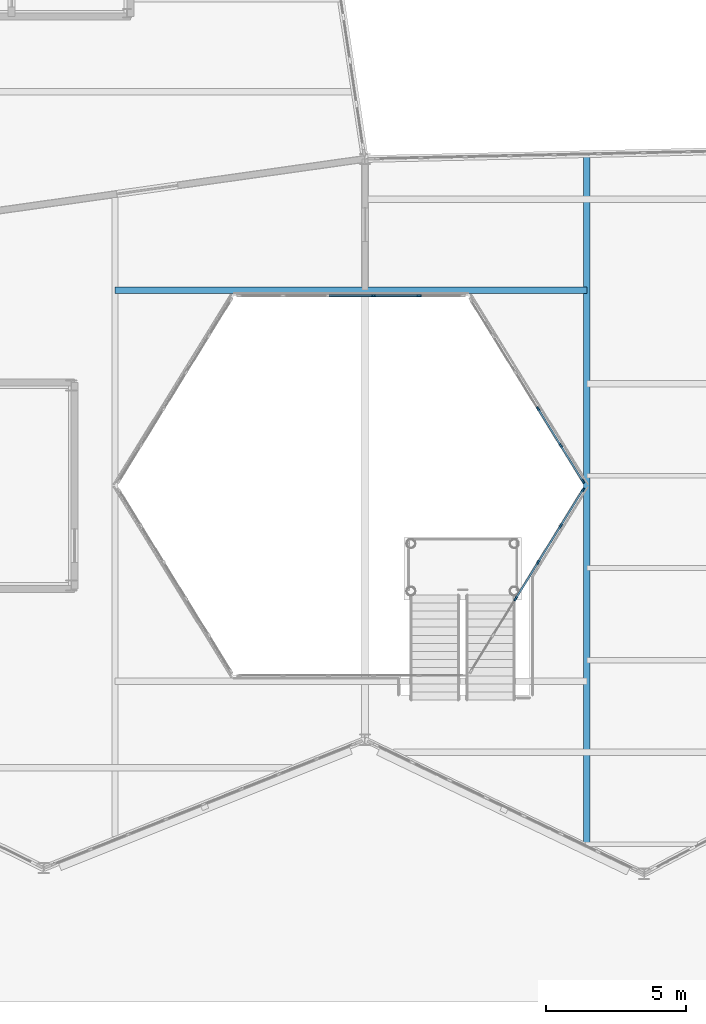
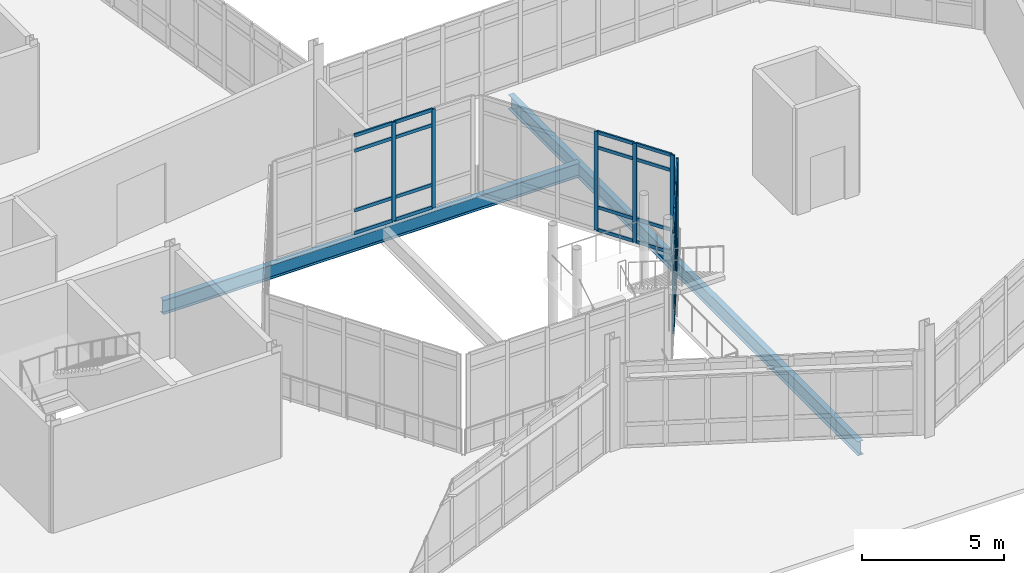
# One storey, part 44 of 134: 37 members, 2 beams, 3 elements without a shape of their own.
"""IFC4 building model written with IfcOpenShell, lengths in metres."""

from ifc_helpers import new_model, si_unit, direction, frame, origin, origin_2d, place, context, subcontext, project, spatial, rectangle, i_section, extrude, material, material_profile, profile_set, type_object, element, aggregate, save


model = new_model("IFC4")

# Units and contexts
model_context = context("Model", 3, precision=1e-05, world=origin(), true_north=direction((0.0, 1.0)))
body_context = subcontext(model_context, "Body", "Model", "MODEL_VIEW")
ifc_project = project(units=[si_unit("LENGTHUNIT", "METRE"), si_unit("AREAUNIT", "SQUARE_METRE"), si_unit("VOLUMEUNIT", "CUBIC_METRE"), si_unit("PLANEANGLEUNIT", "RADIAN"), si_unit("MASSUNIT", "GRAM", prefix="KILO")], contexts=[model_context])

# Site, building, storey
site_placement = place(None, origin())
site = spatial("IfcSite", under=ifc_project, at=site_placement, CompositionType="ELEMENT")
building_placement = place(site_placement, origin())
building = spatial("IfcBuilding", under=site, at=building_placement, Name="Tameran Prism Museum", CompositionType="ELEMENT")
storey_placement = place(building_placement, frame((0.0, 0.0, 5.39990234375)))
storey = spatial("IfcBuildingStorey", under=building, at=storey_placement, Name="L01", CompositionType="ELEMENT", Elevation=5.39990234375)

# Beams
ifc_material_1 = material(Name="Steel Grade 300PLUS (300 MPa)", Category="steel")
ifc_material_profile_1 = material_profile(ifc_material_1, i_section(OverallWidth=0.22900390625, OverallDepth=0.612060546875, WebThickness=0.011962890625, FlangeThickness=0.01953125, FilletRadius=0.013916015625, at=origin_2d()))
ifc_profile_set_1 = profile_set([ifc_material_profile_1])
beam_type = type_object("IfcBeamType", Name="BM-UB610A", PredefinedType="BEAM", material=ifc_profile_set_1)
beam_1_placement = place(storey_placement, frame((68.550048828125, 43.5, -0.5458984375), z_axis=(1.0, 0.0, 0.0), x_axis=(0.0, 1.0, 0.0)))
element("IfcBeam", 1, at=beam_1_placement, inside=storey, type_object=beam_type, Name="Atrium Transverse Trimmer ATE-0495", PredefinedType="BEAM", context=body_context, shape_type="SweptSolid", body=[
    extrude(i_section(OverallWidth=0.22900390625, OverallDepth=0.612060546875, WebThickness=0.011962890625, FlangeThickness=0.01953125, FilletRadius=0.013916015625, at=origin_2d()), origin(), (0.0, 0.0, 1.0), 16.89990234375),
])
beam_2_placement = place(storey_placement, frame((85.449951171875, 23.7060546875, -0.5458984375), z_axis=(0.0, 1.0, 0.0), x_axis=(-1.0, 0.0, 0.0)))
element("IfcBeam", 2, at=beam_2_placement, inside=storey, type_object=beam_type, Name="Atrium Opening Trimmer Girder AT-0497", PredefinedType="BEAM", context=body_context, shape_type="SweptSolid", body=[
    extrude(i_section(OverallWidth=0.22900390625, OverallDepth=0.612060546875, WebThickness=0.011962890625, FlangeThickness=0.01953125, FilletRadius=0.013916015625, at=origin_2d()), origin(), (0.0, 0.0, 1.0), 24.557861328125),
])

# Curtain wall, members
ifc_material_2 = material(Name="Anodised Aluminium 6063-T6 and Cyclone Solar Glass", Category="aluminium")
curtain_wall_type_1 = type_object("IfcCurtainWallType", Name="CW-ATR-769x424", PredefinedType="USERDEFINED", material=ifc_material_2)
curtain_wall_1_placement = place(storey_placement, origin())
curtain_wall_1 = element("IfcCurtainWall", 3, at=curtain_wall_1_placement, inside=storey, type_object=curtain_wall_type_1, Name="Unitised Curtain Wall CW-003", ObjectType="UNITISED CURTAIN WALL", PredefinedType="USERDEFINED")
ifc_material_3 = material(Name="Anodised Aluminium Alloy 6063-T6", Category="aluminium")
ifc_material_profile_2 = material_profile(ifc_material_3, rectangle(XDim=0.06494140625, YDim=0.159912109375, at=origin_2d()))
ifc_profile_set_2 = profile_set([ifc_material_profile_2])
member_type_1 = type_object("IfcMemberType", Name="CW-MUL-A", PredefinedType="MULLION", material=ifc_profile_set_2)
member_1_placement = place(storey_placement, frame((82.895751953125, 32.445556640625, 0.0), z_axis=(0.0, 0.0, 1.0), x_axis=(-0.850791158897, 0.525503952357, 0.0)))
member_1 = element("IfcMember", 4, at=member_1_placement, type_object=member_type_1, Name="CW-003 mullion 3", PredefinedType="MULLION", context=body_context, shape_type="SweptSolid", body=[
    extrude(rectangle(XDim=0.06494140625, YDim=0.159912109375, at=origin_2d()), origin(), (0.0, 0.0, 1.0), 4.239990234375),
])
member_2_placement = place(storey_placement, frame((83.7041015625, 33.75439453125, 0.0), z_axis=(0.0, 0.0, 1.0), x_axis=(-0.850791158897, 0.525503952357, 0.0)))
member_2 = element("IfcMember", 5, at=member_2_placement, type_object=member_type_1, Name="CW-003 mullion 4", PredefinedType="MULLION", context=body_context, shape_type="SweptSolid", body=[
    extrude(rectangle(XDim=0.06494140625, YDim=0.159912109375, at=origin_2d()), origin(), (0.0, 0.0, 1.0), 4.239990234375),
])
member_3_placement = place(storey_placement, frame((84.5126953125, 35.063232421875, 0.0), z_axis=(0.0, 0.0, 1.0), x_axis=(-0.850791158897, 0.525503952357, 0.0)))
member_3 = element("IfcMember", 6, at=member_3_placement, type_object=member_type_1, Name="CW-003 mullion 5", PredefinedType="MULLION", context=body_context, shape_type="SweptSolid", body=[
    extrude(rectangle(XDim=0.06494140625, YDim=0.159912109375, at=origin_2d()), origin(), (0.0, 0.0, 1.0), 4.239990234375),
])
member_4_placement = place(storey_placement, frame((85.303955078125, 36.34423828125, 0.0), z_axis=(0.0, 0.0, 1.0), x_axis=(-0.850791158897, 0.525503952357, 0.0)))
member_4 = element("IfcMember", 7, at=member_4_placement, type_object=member_type_1, Name="CW-003 mullion 6", PredefinedType="MULLION", context=body_context, shape_type="SweptSolid", body=[
    extrude(rectangle(XDim=0.06494140625, YDim=0.159912109375, at=origin_2d()), origin(), (0.0, 0.0, 1.0), 4.239990234375),
])

curtain_wall_2_placement = place(storey_placement, origin())
curtain_wall_2 = element("IfcCurtainWall", 8, at=curtain_wall_2_placement, inside=storey, type_object=curtain_wall_type_1, Name="Unitised Curtain Wall CW-004", ObjectType="UNITISED CURTAIN WALL", PredefinedType="USERDEFINED")
member_5_placement = place(storey_placement, frame((85.303955078125, 36.65576171875, 0.0), z_axis=(0.0, 0.0, 1.0), x_axis=(-0.850791158897, -0.525503952357, 0.0)))
member_5 = element("IfcMember", 9, at=member_5_placement, type_object=member_type_1, Name="CW-004 mullion 1", PredefinedType="MULLION", context=body_context, shape_type="SweptSolid", body=[
    extrude(rectangle(XDim=0.06494140625, YDim=0.159912109375, at=origin_2d()), origin(), (0.0, 0.0, 1.0), 4.239990234375),
])
member_6_placement = place(storey_placement, frame((84.5126953125, 37.936767578125, 0.0), z_axis=(0.0, 0.0, 1.0), x_axis=(-0.850791158897, -0.525503952357, 0.0)))
member_6 = element("IfcMember", 10, at=member_6_placement, type_object=member_type_1, Name="CW-004 mullion 2", PredefinedType="MULLION", context=body_context, shape_type="SweptSolid", body=[
    extrude(rectangle(XDim=0.06494140625, YDim=0.159912109375, at=origin_2d()), origin(), (0.0, 0.0, 1.0), 4.239990234375),
])
member_7_placement = place(storey_placement, frame((83.7041015625, 39.24560546875, 0.0), z_axis=(0.0, 0.0, 1.0), x_axis=(-0.850791158897, -0.525503952357, 0.0)))
member_7 = element("IfcMember", 11, at=member_7_placement, type_object=member_type_1, Name="CW-004 mullion 3", PredefinedType="MULLION", context=body_context, shape_type="SweptSolid", body=[
    extrude(rectangle(XDim=0.06494140625, YDim=0.159912109375, at=origin_2d()), origin(), (0.0, 0.0, 1.0), 4.239990234375),
])

ifc_material_4 = material(Name="Anodised Aluminium 6063-T6 and Cyclone Solar Glass", Category="aluminium")
curtain_wall_type_2 = type_object("IfcCurtainWallType", Name="CW-ATR-810x424", PredefinedType="USERDEFINED", material=ifc_material_4)
curtain_wall_3_placement = place(storey_placement, origin())
curtain_wall_3 = element("IfcCurtainWall", 12, at=curtain_wall_3_placement, inside=storey, type_object=curtain_wall_type_2, Name="Unitised Curtain Wall CW-005", ObjectType="UNITISED CURTAIN WALL", PredefinedType="USERDEFINED")
member_8_placement = place(storey_placement, frame((79.429931640625, 43.300048828125, 0.0), z_axis=(0.0, 0.0, 1.0), x_axis=(0.0, -1.0, 0.0)))
member_8 = element("IfcMember", 13, at=member_8_placement, type_object=member_type_1, Name="CW-005 mullion 2", PredefinedType="MULLION", context=body_context, shape_type="SweptSolid", body=[
    extrude(rectangle(XDim=0.06494140625, YDim=0.159912109375, at=origin_2d()), origin(), (0.0, 0.0, 1.0), 4.239990234375),
])
member_9_placement = place(storey_placement, frame((77.81005859375, 43.300048828125, 0.0), z_axis=(0.0, 0.0, 1.0), x_axis=(0.0, -1.0, 0.0)))
member_9 = element("IfcMember", 14, at=member_9_placement, type_object=member_type_1, Name="CW-005 mullion 3", PredefinedType="MULLION", context=body_context, shape_type="SweptSolid", body=[
    extrude(rectangle(XDim=0.06494140625, YDim=0.159912109375, at=origin_2d()), origin(), (0.0, 0.0, 1.0), 4.239990234375),
])

# Member
ifc_material_5 = material(Name="Anodised Aluminium Alloy 6063-T6", Category="aluminium")
ifc_material_profile_3 = material_profile(ifc_material_5, rectangle(XDim=0.06494140625, YDim=0.139892578125, at=origin_2d()))
ifc_profile_set_3 = profile_set([ifc_material_profile_3])
member_type_2 = type_object("IfcMemberType", Name="CW-TRN-A", PredefinedType="USERDEFINED", material=ifc_profile_set_3)
member_10_placement = place(storey_placement, frame((82.912841796875, 32.47314453125, 0.03271484375), z_axis=(0.525418798442, 0.850843749606, 0.0), x_axis=(-0.850843749606, 0.525418798442, 0.0)))
member_10 = element("IfcMember", 15, at=member_10_placement, type_object=member_type_2, Name="CW-003 transom 3.1", ObjectType="TRANSOM", PredefinedType="USERDEFINED", context=body_context, shape_type="SweptSolid", body=[
    extrude(rectangle(XDim=0.06494140625, YDim=0.139892578125, at=origin_2d()), origin(), (0.0, 0.0, 1.0), 1.473388671875),
])

member_11_placement = place(storey_placement, frame((82.912841796875, 32.47314453125, 1.0), z_axis=(0.525418798442, 0.850843749606, 0.0), x_axis=(-0.850843749606, 0.525418798442, 0.0)))
member_11 = element("IfcMember", 16, at=member_11_placement, type_object=member_type_2, Name="CW-003 transom 3.2", ObjectType="TRANSOM", PredefinedType="USERDEFINED", context=body_context, shape_type="SweptSolid", body=[
    extrude(rectangle(XDim=0.06494140625, YDim=0.139892578125, at=origin_2d()), origin(), (0.0, 0.0, 1.0), 1.473388671875),
])

member_12_placement = place(storey_placement, frame((82.912841796875, 32.47314453125, 3.56005859375), z_axis=(0.525418798442, 0.850843749606, 0.0), x_axis=(-0.850843749606, 0.525418798442, 0.0)))
member_12 = element("IfcMember", 17, at=member_12_placement, type_object=member_type_2, Name="CW-003 transom 3.3", ObjectType="TRANSOM", PredefinedType="USERDEFINED", context=body_context, shape_type="SweptSolid", body=[
    extrude(rectangle(XDim=0.06494140625, YDim=0.139892578125, at=origin_2d()), origin(), (0.0, 0.0, 1.0), 1.473388671875),
])

member_13_placement = place(storey_placement, frame((82.912841796875, 32.47314453125, 4.20751953125), z_axis=(0.525418798442, 0.850843749606, 0.0), x_axis=(-0.850843749606, 0.525418798442, 0.0)))
member_13 = element("IfcMember", 18, at=member_13_placement, type_object=member_type_2, Name="CW-003 transom 3.4", ObjectType="TRANSOM", PredefinedType="USERDEFINED", context=body_context, shape_type="SweptSolid", body=[
    extrude(rectangle(XDim=0.06494140625, YDim=0.139892578125, at=origin_2d()), origin(), (0.0, 0.0, 1.0), 1.473388671875),
])

member_14_placement = place(storey_placement, frame((83.72119140625, 33.781982421875, 0.03271484375), z_axis=(0.525538735192, 0.850769673774, 0.0), x_axis=(-0.850769673774, 0.525538735192, 0.0)))
member_14 = element("IfcMember", 19, at=member_14_placement, type_object=member_type_2, Name="CW-003 transom 4.1", ObjectType="TRANSOM", PredefinedType="USERDEFINED", context=body_context, shape_type="SweptSolid", body=[
    extrude(rectangle(XDim=0.06494140625, YDim=0.139892578125, at=origin_2d()), origin(), (0.0, 0.0, 1.0), 1.4736328125),
])

member_15_placement = place(storey_placement, frame((83.72119140625, 33.781982421875, 1.0), z_axis=(0.525538735192, 0.850769673774, 0.0), x_axis=(-0.850769673774, 0.525538735192, 0.0)))
member_15 = element("IfcMember", 20, at=member_15_placement, type_object=member_type_2, Name="CW-003 transom 4.2", ObjectType="TRANSOM", PredefinedType="USERDEFINED", context=body_context, shape_type="SweptSolid", body=[
    extrude(rectangle(XDim=0.06494140625, YDim=0.139892578125, at=origin_2d()), origin(), (0.0, 0.0, 1.0), 1.4736328125),
])

member_16_placement = place(storey_placement, frame((83.72119140625, 33.781982421875, 3.56005859375), z_axis=(0.525538735192, 0.850769673774, 0.0), x_axis=(-0.850769673774, 0.525538735192, 0.0)))
member_16 = element("IfcMember", 21, at=member_16_placement, type_object=member_type_2, Name="CW-003 transom 4.3", ObjectType="TRANSOM", PredefinedType="USERDEFINED", context=body_context, shape_type="SweptSolid", body=[
    extrude(rectangle(XDim=0.06494140625, YDim=0.139892578125, at=origin_2d()), origin(), (0.0, 0.0, 1.0), 1.4736328125),
])

member_17_placement = place(storey_placement, frame((83.72119140625, 33.781982421875, 4.20751953125), z_axis=(0.525538735192, 0.850769673774, 0.0), x_axis=(-0.850769673774, 0.525538735192, 0.0)))
member_17 = element("IfcMember", 22, at=member_17_placement, type_object=member_type_2, Name="CW-003 transom 4.4", ObjectType="TRANSOM", PredefinedType="USERDEFINED", context=body_context, shape_type="SweptSolid", body=[
    extrude(rectangle(XDim=0.06494140625, YDim=0.139892578125, at=origin_2d()), origin(), (0.0, 0.0, 1.0), 1.4736328125),
])

member_18_placement = place(storey_placement, frame((84.52978515625, 35.0908203125, 0.03271484375), z_axis=(0.525467627301, 0.850813594543, 0.0), x_axis=(-0.850813594543, 0.525467627301, 0.0)))
member_18 = element("IfcMember", 23, at=member_18_placement, type_object=member_type_2, Name="CW-003 transom 5.1", ObjectType="TRANSOM", PredefinedType="USERDEFINED", context=body_context, shape_type="SweptSolid", body=[
    extrude(rectangle(XDim=0.06494140625, YDim=0.139892578125, at=origin_2d()), origin(), (0.0, 0.0, 1.0), 1.440673828125),
])

member_19_placement = place(storey_placement, frame((84.52978515625, 35.0908203125, 1.0), z_axis=(0.525467627301, 0.850813594543, 0.0), x_axis=(-0.850813594543, 0.525467627301, 0.0)))
member_19 = element("IfcMember", 24, at=member_19_placement, type_object=member_type_2, Name="CW-003 transom 5.2", ObjectType="TRANSOM", PredefinedType="USERDEFINED", context=body_context, shape_type="SweptSolid", body=[
    extrude(rectangle(XDim=0.06494140625, YDim=0.139892578125, at=origin_2d()), origin(), (0.0, 0.0, 1.0), 1.440673828125),
])

member_20_placement = place(storey_placement, frame((84.52978515625, 35.0908203125, 3.56005859375), z_axis=(0.525467627301, 0.850813594543, 0.0), x_axis=(-0.850813594543, 0.525467627301, 0.0)))
member_20 = element("IfcMember", 25, at=member_20_placement, type_object=member_type_2, Name="CW-003 transom 5.3", ObjectType="TRANSOM", PredefinedType="USERDEFINED", context=body_context, shape_type="SweptSolid", body=[
    extrude(rectangle(XDim=0.06494140625, YDim=0.139892578125, at=origin_2d()), origin(), (0.0, 0.0, 1.0), 1.440673828125),
])

member_21_placement = place(storey_placement, frame((84.52978515625, 35.0908203125, 4.20751953125), z_axis=(0.525467627301, 0.850813594543, 0.0), x_axis=(-0.850813594543, 0.525467627301, 0.0)))
member_21 = element("IfcMember", 26, at=member_21_placement, type_object=member_type_2, Name="CW-003 transom 5.4", ObjectType="TRANSOM", PredefinedType="USERDEFINED", context=body_context, shape_type="SweptSolid", body=[
    extrude(rectangle(XDim=0.06494140625, YDim=0.139892578125, at=origin_2d()), origin(), (0.0, 0.0, 1.0), 1.440673828125),
])

aggregate(curtain_wall_1, [member_1, member_2, member_3, member_4, member_10, member_11, member_12, member_13, member_14, member_15, member_16, member_17, member_18, member_19, member_20, member_21])

member_22_placement = place(storey_placement, frame((85.286865234375, 36.683349609375, 0.03271484375), z_axis=(-0.525467627301, 0.850813594543, 0.0), x_axis=(-0.850813594543, -0.525467627301, 0.0)))
member_22 = element("IfcMember", 27, at=member_22_placement, type_object=member_type_2, Name="CW-004 transom 1.1", ObjectType="TRANSOM", PredefinedType="USERDEFINED", context=body_context, shape_type="SweptSolid", body=[
    extrude(rectangle(XDim=0.06494140625, YDim=0.139892578125, at=origin_2d()), origin(), (0.0, 0.0, 1.0), 1.440673828125),
])

member_23_placement = place(storey_placement, frame((85.286865234375, 36.683349609375, 1.0), z_axis=(-0.525467627301, 0.850813594543, 0.0), x_axis=(-0.850813594543, -0.525467627301, 0.0)))
member_23 = element("IfcMember", 28, at=member_23_placement, type_object=member_type_2, Name="CW-004 transom 1.2", ObjectType="TRANSOM", PredefinedType="USERDEFINED", context=body_context, shape_type="SweptSolid", body=[
    extrude(rectangle(XDim=0.06494140625, YDim=0.139892578125, at=origin_2d()), origin(), (0.0, 0.0, 1.0), 1.440673828125),
])

member_24_placement = place(storey_placement, frame((85.286865234375, 36.683349609375, 3.56005859375), z_axis=(-0.525467627301, 0.850813594543, 0.0), x_axis=(-0.850813594543, -0.525467627301, 0.0)))
member_24 = element("IfcMember", 29, at=member_24_placement, type_object=member_type_2, Name="CW-004 transom 1.3", ObjectType="TRANSOM", PredefinedType="USERDEFINED", context=body_context, shape_type="SweptSolid", body=[
    extrude(rectangle(XDim=0.06494140625, YDim=0.139892578125, at=origin_2d()), origin(), (0.0, 0.0, 1.0), 1.440673828125),
])

member_25_placement = place(storey_placement, frame((85.286865234375, 36.683349609375, 4.20751953125), z_axis=(-0.525467627301, 0.850813594543, 0.0), x_axis=(-0.850813594543, -0.525467627301, 0.0)))
member_25 = element("IfcMember", 30, at=member_25_placement, type_object=member_type_2, Name="CW-004 transom 1.4", ObjectType="TRANSOM", PredefinedType="USERDEFINED", context=body_context, shape_type="SweptSolid", body=[
    extrude(rectangle(XDim=0.06494140625, YDim=0.139892578125, at=origin_2d()), origin(), (0.0, 0.0, 1.0), 1.440673828125),
])

member_26_placement = place(storey_placement, frame((84.49560546875, 37.96435546875, 0.03271484375), z_axis=(-0.525538735192, 0.850769673774, 0.0), x_axis=(-0.850769673774, -0.525538735192, 0.0)))
member_26 = element("IfcMember", 31, at=member_26_placement, type_object=member_type_2, Name="CW-004 transom 2.1", ObjectType="TRANSOM", PredefinedType="USERDEFINED", context=body_context, shape_type="SweptSolid", body=[
    extrude(rectangle(XDim=0.06494140625, YDim=0.139892578125, at=origin_2d()), origin(), (0.0, 0.0, 1.0), 1.4736328125),
])

member_27_placement = place(storey_placement, frame((84.49560546875, 37.96435546875, 1.0), z_axis=(-0.525538735192, 0.850769673774, 0.0), x_axis=(-0.850769673774, -0.525538735192, 0.0)))
member_27 = element("IfcMember", 32, at=member_27_placement, type_object=member_type_2, Name="CW-004 transom 2.2", ObjectType="TRANSOM", PredefinedType="USERDEFINED", context=body_context, shape_type="SweptSolid", body=[
    extrude(rectangle(XDim=0.06494140625, YDim=0.139892578125, at=origin_2d()), origin(), (0.0, 0.0, 1.0), 1.4736328125),
])

member_28_placement = place(storey_placement, frame((84.49560546875, 37.96435546875, 3.56005859375), z_axis=(-0.525538735192, 0.850769673774, 0.0), x_axis=(-0.850769673774, -0.525538735192, 0.0)))
member_28 = element("IfcMember", 33, at=member_28_placement, type_object=member_type_2, Name="CW-004 transom 2.3", ObjectType="TRANSOM", PredefinedType="USERDEFINED", context=body_context, shape_type="SweptSolid", body=[
    extrude(rectangle(XDim=0.06494140625, YDim=0.139892578125, at=origin_2d()), origin(), (0.0, 0.0, 1.0), 1.4736328125),
])

member_29_placement = place(storey_placement, frame((84.49560546875, 37.96435546875, 4.20751953125), z_axis=(-0.525538735192, 0.850769673774, 0.0), x_axis=(-0.850769673774, -0.525538735192, 0.0)))
member_29 = element("IfcMember", 34, at=member_29_placement, type_object=member_type_2, Name="CW-004 transom 2.4", ObjectType="TRANSOM", PredefinedType="USERDEFINED", context=body_context, shape_type="SweptSolid", body=[
    extrude(rectangle(XDim=0.06494140625, YDim=0.139892578125, at=origin_2d()), origin(), (0.0, 0.0, 1.0), 1.4736328125),
])

aggregate(curtain_wall_2, [member_5, member_6, member_7, member_22, member_23, member_24, member_25, member_26, member_27, member_28, member_29])

member_30_placement = place(storey_placement, frame((79.3974609375, 43.300048828125, 0.03271484375), z_axis=(-1.0, 0.0, 0.0), x_axis=(0.0, -1.0, 0.0)))
member_30 = element("IfcMember", 35, at=member_30_placement, type_object=member_type_2, Name="CW-005 transom 2.1", ObjectType="TRANSOM", PredefinedType="USERDEFINED", context=body_context, shape_type="SweptSolid", body=[
    extrude(rectangle(XDim=0.06494140625, YDim=0.139892578125, at=origin_2d()), origin(), (0.0, 0.0, 1.0), 1.554931640625),
])

member_31_placement = place(storey_placement, frame((79.3974609375, 43.300048828125, 1.0), z_axis=(-1.0, 0.0, 0.0), x_axis=(0.0, -1.0, 0.0)))
member_31 = element("IfcMember", 36, at=member_31_placement, type_object=member_type_2, Name="CW-005 transom 2.2", ObjectType="TRANSOM", PredefinedType="USERDEFINED", context=body_context, shape_type="SweptSolid", body=[
    extrude(rectangle(XDim=0.06494140625, YDim=0.139892578125, at=origin_2d()), origin(), (0.0, 0.0, 1.0), 1.554931640625),
])

member_32_placement = place(storey_placement, frame((79.3974609375, 43.300048828125, 3.56005859375), z_axis=(-1.0, 0.0, 0.0), x_axis=(0.0, -1.0, 0.0)))
member_32 = element("IfcMember", 37, at=member_32_placement, type_object=member_type_2, Name="CW-005 transom 2.3", ObjectType="TRANSOM", PredefinedType="USERDEFINED", context=body_context, shape_type="SweptSolid", body=[
    extrude(rectangle(XDim=0.06494140625, YDim=0.139892578125, at=origin_2d()), origin(), (0.0, 0.0, 1.0), 1.554931640625),
])

member_33_placement = place(storey_placement, frame((79.3974609375, 43.300048828125, 4.20751953125), z_axis=(-1.0, 0.0, 0.0), x_axis=(0.0, -1.0, 0.0)))
member_33 = element("IfcMember", 38, at=member_33_placement, type_object=member_type_2, Name="CW-005 transom 2.4", ObjectType="TRANSOM", PredefinedType="USERDEFINED", context=body_context, shape_type="SweptSolid", body=[
    extrude(rectangle(XDim=0.06494140625, YDim=0.139892578125, at=origin_2d()), origin(), (0.0, 0.0, 1.0), 1.554931640625),
])

member_34_placement = place(storey_placement, frame((77.777587890625, 43.300048828125, 0.03271484375), z_axis=(-1.0, 0.0, 0.0), x_axis=(0.0, -1.0, 0.0)))
member_34 = element("IfcMember", 39, at=member_34_placement, type_object=member_type_2, Name="CW-005 transom 3.1", ObjectType="TRANSOM", PredefinedType="USERDEFINED", context=body_context, shape_type="SweptSolid", body=[
    extrude(rectangle(XDim=0.06494140625, YDim=0.139892578125, at=origin_2d()), origin(), (0.0, 0.0, 1.0), 1.55517578125),
])

member_35_placement = place(storey_placement, frame((77.777587890625, 43.300048828125, 1.0), z_axis=(-1.0, 0.0, 0.0), x_axis=(0.0, -1.0, 0.0)))
member_35 = element("IfcMember", 40, at=member_35_placement, type_object=member_type_2, Name="CW-005 transom 3.2", ObjectType="TRANSOM", PredefinedType="USERDEFINED", context=body_context, shape_type="SweptSolid", body=[
    extrude(rectangle(XDim=0.06494140625, YDim=0.139892578125, at=origin_2d()), origin(), (0.0, 0.0, 1.0), 1.55517578125),
])

member_36_placement = place(storey_placement, frame((77.777587890625, 43.300048828125, 3.56005859375), z_axis=(-1.0, 0.0, 0.0), x_axis=(0.0, -1.0, 0.0)))
member_36 = element("IfcMember", 41, at=member_36_placement, type_object=member_type_2, Name="CW-005 transom 3.3", ObjectType="TRANSOM", PredefinedType="USERDEFINED", context=body_context, shape_type="SweptSolid", body=[
    extrude(rectangle(XDim=0.06494140625, YDim=0.139892578125, at=origin_2d()), origin(), (0.0, 0.0, 1.0), 1.55517578125),
])

member_37_placement = place(storey_placement, frame((77.777587890625, 43.300048828125, 4.20751953125), z_axis=(-1.0, 0.0, 0.0), x_axis=(0.0, -1.0, 0.0)))
member_37 = element("IfcMember", 42, at=member_37_placement, type_object=member_type_2, Name="CW-005 transom 3.4", ObjectType="TRANSOM", PredefinedType="USERDEFINED", context=body_context, shape_type="SweptSolid", body=[
    extrude(rectangle(XDim=0.06494140625, YDim=0.139892578125, at=origin_2d()), origin(), (0.0, 0.0, 1.0), 1.55517578125),
])

aggregate(curtain_wall_3, [member_8, member_9, member_30, member_31, member_32, member_33, member_34, member_35, member_36, member_37])

save(model, "model.ifc")
